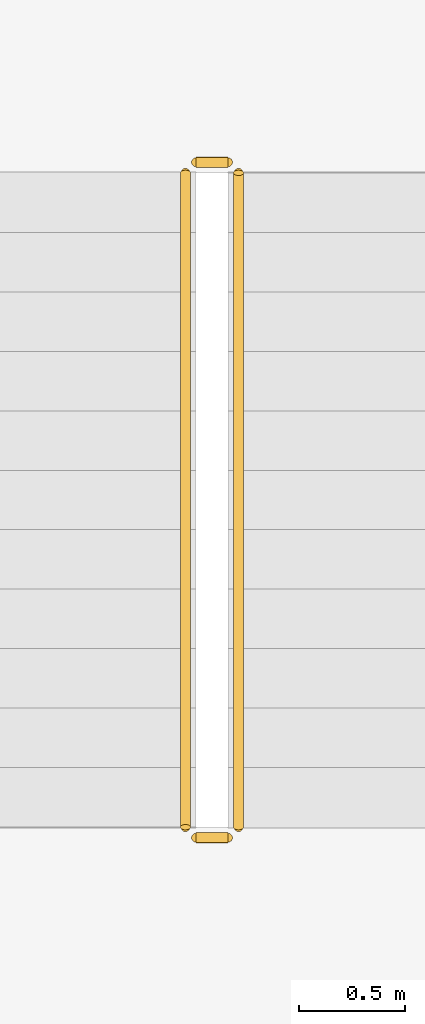
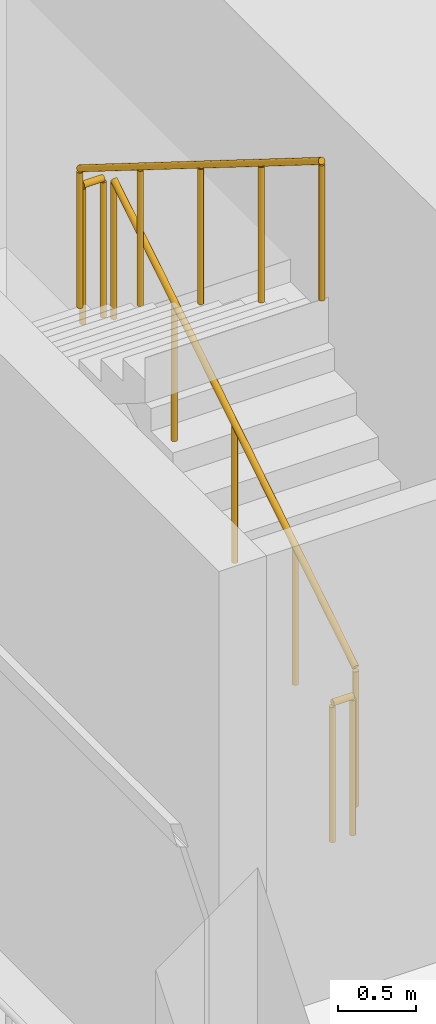
# One storey, part 17 of 23: 4 railings.
"""IFC4 building model written with IfcOpenShell, lengths in metres."""

import ifcopenshell
import ifcopenshell.guid

model = None  # the IFC model being written
_history = None  # IfcOwnerHistory: only IFC2X3 demands one
_inside = {}  # id of a spatial element -> (the spatial element, [elements in it])
_under = {}  # id of a project, library or spatial element -> (it, [spatial elements below it])
_declared = {}  # id of a project -> (the project, [libraries it declares])
_typed = {}  # id of a type object -> (the type object, [elements of that type])
_made_of = {}  # id of a material, layer set ... -> (it, [elements and type objects made of it])


def new_model(schema):
    """Start an empty IFC model of exactly this schema.

    Asked for "IFC4X3", IfcOpenShell would pick the latest addendum, in which some entities
    have other attributes; the version numbers below select the first issue.
    IFC2X3 requires an IfcOwnerHistory on every rooted entity: one is made here for all.
    """
    global model, _history
    if schema == "IFC4X3":
        model = ifcopenshell.file(schema_version=(4, 3, 0, 0))
    else:
        model = ifcopenshell.file(schema=schema)
    _inside.clear()
    _under.clear()
    _declared.clear()
    _typed.clear()
    _made_of.clear()
    _history = None
    if model.schema == "IFC2X3":
        org = make("IfcOrganization", Name="unknown")
        user = make(
            "IfcPersonAndOrganization",
            ThePerson=make("IfcPerson", FamilyName="unknown"),
            TheOrganization=org,
        )
        app = make(
            "IfcApplication",
            ApplicationDeveloper=org,
            Version="unknown",
            ApplicationFullName="unknown",
            ApplicationIdentifier="unknown",
        )
        _history = make(
            "IfcOwnerHistory",
            OwningUser=user,
            OwningApplication=app,
            ChangeAction="ADDED",
            CreationDate=0,
        )
    return model


def make(cls, **values):
    """One entity of the class cls with the attributes given. An attribute that is None is left unset."""
    return model.create_entity(
        cls, **{name: value for name, value in values.items() if value is not None}
    )


def rooted(cls, **values):
    """An entity with a GlobalId (a new one), such as an element, a storey or a relation."""
    return make(cls, GlobalId=ifcopenshell.guid.new(), OwnerHistory=_history, **values)


def si_unit(unit_type, name, prefix=None):
    """IfcSIUnit, for example si_unit("LENGTHUNIT", "METRE", prefix="MILLI")."""
    return make("IfcSIUnit", UnitType=unit_type, Prefix=prefix, Name=name)


def assignment(units):
    """IfcUnitAssignment: the units of a project."""
    return None if units is None else make("IfcUnitAssignment", Units=units)


def point(xyz):
    """IfcCartesianPoint."""
    return None if xyz is None else make("IfcCartesianPoint", Coordinates=xyz)


def direction(xyz):
    """IfcDirection."""
    return None if xyz is None else make("IfcDirection", DirectionRatios=xyz)


def frame(location, z_axis=None, x_axis=None):
    """IfcAxis2Placement3D, a coordinate frame: its origin and axes. An axis left out is left unset."""
    return make(
        "IfcAxis2Placement3D",
        Location=point(location),
        Axis=direction(z_axis),
        RefDirection=direction(x_axis),
    )


def frame_2d(location, x_axis=None):
    """IfcAxis2Placement2D, a coordinate frame in the plane: its origin and x axis."""
    return make(
        "IfcAxis2Placement2D", Location=point(location), RefDirection=direction(x_axis)
    )


def origin():
    """The frame at (0, 0, 0) with its axes left unset."""
    return frame((0.0, 0.0, 0.0))


def origin_2d():
    """The frame at (0, 0) in the plane with its x axis left unset."""
    return frame_2d((0.0, 0.0))


def place(relative_to, where):
    """IfcLocalPlacement: puts the frame where relative to a parent placement (None: the world)."""
    return make(
        "IfcLocalPlacement", PlacementRelTo=relative_to, RelativePlacement=where
    )


def context(
    kind, dimensions, precision=None, world=None, true_north=None, identifier=None
):
    """IfcGeometricRepresentationContext, for example the 3D "Model" context."""
    return make(
        "IfcGeometricRepresentationContext",
        ContextIdentifier=identifier,
        ContextType=kind,
        CoordinateSpaceDimension=dimensions,
        Precision=precision,
        WorldCoordinateSystem=world,
        TrueNorth=true_north,
    )


def subcontext(parent, identifier, kind, view, scale=None):
    """IfcGeometricRepresentationSubContext, for example "Body" below "Model"."""
    return make(
        "IfcGeometricRepresentationSubContext",
        ContextIdentifier=identifier,
        ContextType=kind,
        ParentContext=parent,
        TargetScale=scale,
        TargetView=view,
    )


def project(units=None, contexts=None):
    """IfcProject with its units and contexts."""
    return rooted(
        "IfcProject",
        Name="project",
        RepresentationContexts=contexts,
        UnitsInContext=assignment(units),
    )


def spatial(cls, under=None, at=None, **own):
    """A site, building, storey or space (cls), placed at a placement, below another one or the project."""
    s = rooted(cls, ObjectPlacement=at, **own)
    if under is not None:
        _under.setdefault(under.id(), (under, []))[1].append(s)
    return s


def profile(cls, at=None, kind="AREA", **sizes):
    """A parametric profile (cls). Its sizes go by their IFC names, for example OverallWidth=200.0."""
    return make(cls, ProfileType=kind, Position=at, **sizes)


def circle(**sizes):
    """IfcCircleProfileDef."""
    return profile("IfcCircleProfileDef", **sizes)


def extrude(swept, where, along, depth):
    """IfcExtrudedAreaSolid: the profile swept, set in the frame where, extruded along a direction by depth."""
    return make(
        "IfcExtrudedAreaSolid",
        SweptArea=swept,
        Position=where,
        ExtrudedDirection=direction(along),
        Depth=depth,
    )


def shape(context_of_items, identifier, shape_type, items):
    """IfcShapeRepresentation: the items that make up one representation, for example the "Body"."""
    return make(
        "IfcShapeRepresentation",
        ContextOfItems=context_of_items,
        RepresentationIdentifier=identifier,
        RepresentationType=shape_type,
        Items=items,
    )


def material(Name=None, Category=None):
    """IfcMaterial."""
    return make("IfcMaterial", Name=Name, Category=Category)


def made_of(thing, what):
    """Note that an element or type object is made of a material, layer set ...; save() writes the relation."""
    if what is not None:
        _made_of.setdefault(what.id(), (what, []))[1].append(thing)
    return thing


def type_object(cls, material=None, **own):
    """A type object (cls), such as IfcWallType, which elements share."""
    return made_of(rooted(cls, **own), material)


def element(
    cls,
    number,
    at=None,
    inside=None,
    cuts=None,
    type_object=None,
    material=None,
    context=None,
    identifier="Body",
    shape_type=None,
    held_by="IfcProductDefinitionShape",
    body=None,
    shapes=None,
    **own,
):
    """One element of the class cls, such as IfcWall. Its Tag is "e" and its number.

    at: its placement. inside: the storey or other place that contains it. cuts: it is an
    opening in that element (IfcRelVoidsElement). A single representation is given by context,
    identifier, shape_type and body (its items); several are given by shapes. held_by: the class
    of the entity that holds the representations. save() writes the other relations.
    """
    e = rooted(cls, Tag="e%d" % number, ObjectPlacement=at, **own)
    if body is not None:
        shapes = [shape(context, identifier, shape_type, body)]
    if shapes is not None:
        e.Representation = make(held_by, Representations=shapes)
    if inside is not None:
        _inside.setdefault(inside.id(), (inside, []))[1].append(e)
    if cuts is not None:
        rooted(
            "IfcRelVoidsElement", RelatingBuildingElement=cuts, RelatedOpeningElement=e
        )
    if type_object is not None:
        _typed.setdefault(type_object.id(), (type_object, []))[1].append(e)
    return made_of(e, material)


def aggregate(whole, parts):
    """IfcRelAggregates: a whole, such as a stair, and the parts it consists of."""
    return rooted("IfcRelAggregates", RelatingObject=whole, RelatedObjects=parts)


def save(model, path):
    """Write the relations noted so far, then the file.

    IfcRelAggregates (storeys below a building ...), IfcRelContainedInSpatialStructure (elements
    in a storey), IfcRelDefinesByType, IfcRelAssociatesMaterial and IfcRelDeclares: one each for
    every whole, place, type object, material and project.
    """
    for whole, parts in _under.values():
        aggregate(whole, parts)
    for where, things in _inside.values():
        rooted(
            "IfcRelContainedInSpatialStructure",
            RelatedElements=things,
            RelatingStructure=where,
        )
    for kind, things in _typed.values():
        rooted("IfcRelDefinesByType", RelatedObjects=things, RelatingType=kind)
    for what, things in _made_of.values():
        rooted("IfcRelAssociatesMaterial", RelatedObjects=things, RelatingMaterial=what)
    for by, libraries in _declared.values():
        rooted("IfcRelDeclares", RelatingContext=by, RelatedDefinitions=libraries)
    model.write(path)


model = new_model("IFC4")

# Units and contexts
model_context = context("Model", 3, precision=1e-05, world=origin(), true_north=direction((0.0, 1.0)))
body_context = subcontext(model_context, "Body", "Model", "MODEL_VIEW")
ifc_project = project(units=[si_unit("LENGTHUNIT", "METRE"), si_unit("AREAUNIT", "SQUARE_METRE"), si_unit("VOLUMEUNIT", "CUBIC_METRE"), si_unit("PLANEANGLEUNIT", "RADIAN"), si_unit("MASSUNIT", "GRAM", prefix="KILO")], contexts=[model_context])

# Site, building, storey
site_placement = place(None, origin())
site = spatial("IfcSite", under=ifc_project, at=site_placement, CompositionType="ELEMENT")
building_placement = place(site_placement, origin())
building = spatial("IfcBuilding", under=site, at=building_placement, Name="Kawkab Arch Medical Tower", CompositionType="ELEMENT")
storey_placement = place(building_placement, frame((0.0, 0.0, 281.800048828125)))
storey = spatial("IfcBuildingStorey", under=building, at=storey_placement, Name="L65", CompositionType="ELEMENT", Elevation=281.800048828125)

# Railings
ifc_material = material(Name="Stainless steel", Category="steel")
railing_type = type_object("IfcRailingType", Name="Stair guard 1100", PredefinedType="GUARDRAIL", material=ifc_material)
railing_1_placement = place(storey_placement, frame((2.89990234375, -21.699951171875, 0.175048828125)))
element("IfcRailing", 1, at=railing_1_placement, inside=storey, type_object=railing_type, Name="L65 ST2 stair guard 1", PredefinedType="GUARDRAIL", context=body_context, shape_type="SweptSolid", body=[
    extrude(circle(Radius=0.02392578125, at=origin_2d()), frame((0.0, 0.0, 1.076171875), z_axis=(0.0, 0.848009633417, 0.529980812513), x_axis=(-1.0, 0.0, 0.0)), (0.0, 0.0, 1.0), 3.6318359375),
    extrude(circle(Radius=0.02099609375, at=origin_2d()), origin(), (0.0, 0.0, 1.0), 1.052001953125),
    extrude(circle(Radius=0.02099609375, at=origin_2d()), frame((0.0, 0.77001953125, 0.481201171875)), (0.0, 0.0, 1.0), 1.052001953125),
    extrude(circle(Radius=0.02099609375, at=origin_2d()), frame((0.0, 1.5400390625, 0.96240234375)), (0.0, 0.0, 1.0), 1.052001953125),
    extrude(circle(Radius=0.02099609375, at=origin_2d()), frame((0.0, 2.309814453125, 1.443603515625)), (0.0, 0.0, 1.0), 1.052001953125),
    extrude(circle(Radius=0.02099609375, at=origin_2d()), frame((0.0, 3.079833984375, 1.9248046875)), (0.0, 0.0, 1.0), 1.052001953125),
])
railing_2_placement = place(storey_placement, frame((2.85009765625, -18.570068359375, 2.099853515625)))
element("IfcRailing", 2, at=railing_2_placement, inside=storey, type_object=railing_type, Name="L65 ST2 stair guard 2", PredefinedType="GUARDRAIL", context=body_context, shape_type="SweptSolid", body=[
    extrude(circle(Radius=0.02392578125, at=origin_2d()), frame((0.0, 0.0, 1.076171875), z_axis=(-1.0, 0.0, 0.0), x_axis=(0.0, -1.0, 0.0)), (0.0, 0.0, 1.0), 0.150146484375),
    extrude(circle(Radius=0.02099609375, at=origin_2d()), origin(), (0.0, 0.0, 1.0), 1.052001953125),
    extrude(circle(Radius=0.02099609375, at=origin_2d()), frame((-0.150146484375, 0.0, 0.0)), (0.0, 0.0, 1.0), 1.052001953125),
])
railing_3_placement = place(storey_placement, frame((2.64990234375, -18.6201171875, 2.27490234375)))
element("IfcRailing", 3, at=railing_3_placement, inside=storey, type_object=railing_type, Name="L65 ST2 stair guard 3", PredefinedType="GUARDRAIL", context=body_context, shape_type="SweptSolid", body=[
    extrude(circle(Radius=0.02392578125, at=origin_2d()), frame((0.0, 0.0, 1.076171875), z_axis=(0.0, -0.847979421464, 0.530029150871), x_axis=(1.0, 0.0, 0.0)), (0.0, 0.0, 1.0), 3.632080078125),
    extrude(circle(Radius=0.02099609375, at=origin_2d()), origin(), (0.0, 0.0, 1.0), 1.052001953125),
    extrude(circle(Radius=0.02099609375, at=origin_2d()), frame((0.0, -0.77001953125, 0.481201171875)), (0.0, 0.0, 1.0), 1.052001953125),
    extrude(circle(Radius=0.02099609375, at=origin_2d()), frame((0.0, -1.5400390625, 0.96240234375)), (0.0, 0.0, 1.0), 1.052001953125),
    extrude(circle(Radius=0.02099609375, at=origin_2d()), frame((0.0, -2.309814453125, 1.44384765625)), (0.0, 0.0, 1.0), 1.052001953125),
    extrude(circle(Radius=0.02099609375, at=origin_2d()), frame((0.0, -3.079833984375, 1.925048828125)), (0.0, 0.0, 1.0), 1.052001953125),
])
railing_4_placement = place(storey_placement, frame((2.85009765625, -21.75, 0.0)))
element("IfcRailing", 4, at=railing_4_placement, inside=storey, type_object=railing_type, Name="L65 ST2 stair guard 4", PredefinedType="GUARDRAIL", context=body_context, shape_type="SweptSolid", body=[
    extrude(circle(Radius=0.02392578125, at=origin_2d()), frame((0.0, 0.0, 1.076171875), z_axis=(-1.0, 0.0, 0.0), x_axis=(0.0, -1.0, 0.0)), (0.0, 0.0, 1.0), 0.150146484375),
    extrude(circle(Radius=0.02099609375, at=origin_2d()), origin(), (0.0, 0.0, 1.0), 1.052001953125),
    extrude(circle(Radius=0.02099609375, at=origin_2d()), frame((-0.150146484375, 0.0, 0.0)), (0.0, 0.0, 1.0), 1.052001953125),
])

save(model, "model.ifc")
